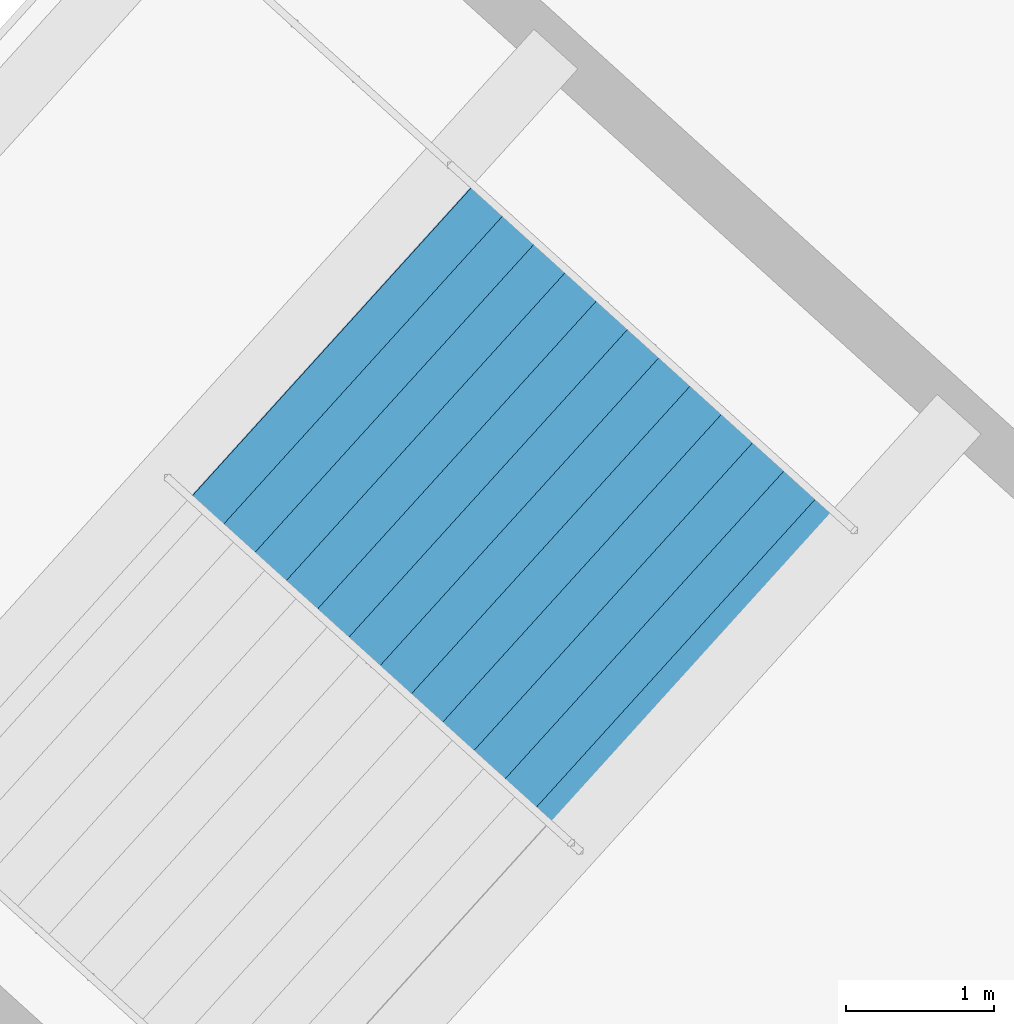
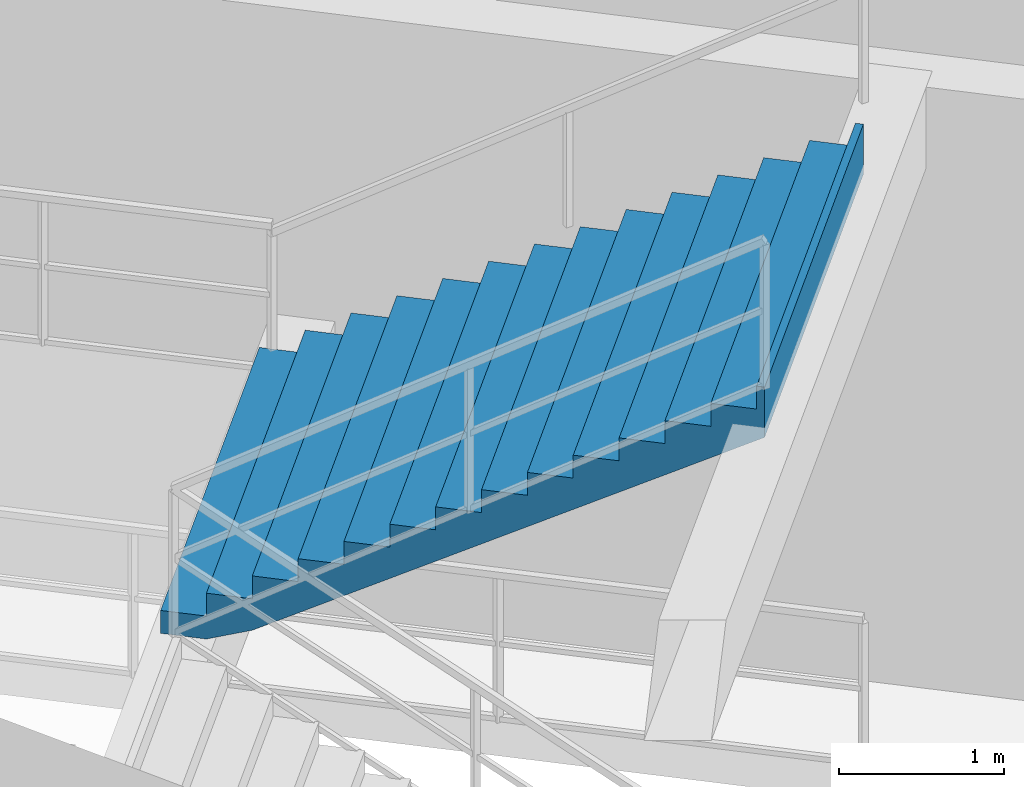
# One storey, part 161 of 171: 1 stair flight, 1 element without a shape of its own.
"""IFC4 building model written with IfcOpenShell, lengths in metres."""

from ifc_helpers import new_model, si_unit, direction, frame, origin, place, context, subcontext, project, spatial, polygons, material, type_object, element, aggregate, save


model = new_model("IFC4")

# Units and contexts
model_context = context("Model", 3, precision=1e-05, world=origin(), true_north=direction((0.0, 1.0)))
body_context = subcontext(model_context, "Body", "Model", "MODEL_VIEW")
ifc_project = project(units=[si_unit("LENGTHUNIT", "METRE"), si_unit("AREAUNIT", "SQUARE_METRE"), si_unit("VOLUMEUNIT", "CUBIC_METRE"), si_unit("PLANEANGLEUNIT", "RADIAN"), si_unit("MASSUNIT", "GRAM", prefix="KILO")], contexts=[model_context])

# Site, building, storey
site_placement = place(None, origin())
site = spatial("IfcSite", under=ifc_project, at=site_placement, CompositionType="ELEMENT")
building_placement = place(site_placement, origin())
building = spatial("IfcBuilding", under=site, at=building_placement, Name="Kazemori Nagisa Stadium", CompositionType="ELEMENT")
storey_placement = place(building_placement, frame((0.0, 0.0, 15.639892578125)))
storey = spatial("IfcBuildingStorey", under=building, at=storey_placement, Name="L03", CompositionType="ELEMENT", Elevation=15.639892578125)

# Stair, stair flight
ifc_material = material(Name="Concrete C36/45 (Fc36)", Category="concrete")
stair_type = type_object("IfcStairType", Name="Stair_CORE_28", PredefinedType="TWO_STRAIGHT_RUN_STAIR", material=ifc_material)
stair_placement = place(storey_placement, origin())
stair = element("IfcStair", 1, at=stair_placement, inside=storey, type_object=stair_type, Name="Exit stair ST01 L03", PredefinedType="TWO_STRAIGHT_RUN_STAIR")
stair_flight_type = type_object("IfcStairFlightType", Name="Flight_CORE_14", PredefinedType="STRAIGHT", material=ifc_material)
stair_flight_placement = place(storey_placement, frame((190.961669921875, 161.023681640625, 2.380126953125), z_axis=(0.0, 0.0, 1.0), x_axis=(0.741324991793, -0.671146225903, 0.0)))
stair_flight = element("IfcStairFlight", 2, at=stair_flight_placement, type_object=stair_flight_type, Name="Exit stair ST01 L03 flight 2", NumberOfRisers=14, NumberOfTreads=13, PredefinedType="STRAIGHT", RiserHeight=0.17, TreadLength=0.285, context=body_context, shape_type="Tessellation", body=[
    polygons([(0.0, -1.425048828125, 0.0), (0.0, -1.425048828125, 0.169921875), (0.284912109375, -1.425048828125, 0.169921875), (0.284912109375, -1.425048828125, 0.340087890625), (0.570068359375, -1.425048828125, 0.340087890625), (0.570068359375, -1.425048828125, 0.510009765625), (0.85498046875, -1.425048828125, 0.510009765625), (0.85498046875, -1.425048828125, 0.679931640625), (1.139892578125, -1.425048828125, 0.679931640625), (1.139892578125, -1.425048828125, 0.85009765625), (1.425048828125, -1.425048828125, 0.85009765625), (1.425048828125, -1.425048828125, 1.02001953125), (1.7099609375, -1.425048828125, 1.02001953125), (1.7099609375, -1.425048828125, 1.18994140625), (1.9951171875, -1.425048828125, 1.18994140625), (1.9951171875, -1.425048828125, 1.360107421875), (2.280029296875, -1.425048828125, 1.360107421875), (2.280029296875, -1.425048828125, 1.530029296875), (2.56494140625, -1.425048828125, 1.530029296875), (2.56494140625, -1.425048828125, 1.699951171875), (2.85009765625, -1.425048828125, 1.699951171875), (2.85009765625, -1.425048828125, 1.8701171875), (3.135009765625, -1.425048828125, 1.8701171875), (3.135009765625, -1.425048828125, 2.0400390625), (3.419921875, -1.425048828125, 2.0400390625), (3.419921875, -1.425048828125, 2.2099609375), (3.705078125, -1.425048828125, 2.2099609375), (3.705078125, -1.425048828125, 2.3798828125), (3.7548828125, -1.425048828125, 2.3798828125), (3.7548828125, -1.425048828125, 2.007080078125), (3.705078125, -1.425048828125, 1.977294921875), (3.419921875, -1.425048828125, 1.80712890625), (3.135009765625, -1.425048828125, 1.63720703125), (2.85009765625, -1.425048828125, 1.46728515625), (2.56494140625, -1.425048828125, 1.297119140625), (2.280029296875, -1.425048828125, 1.127197265625), (1.9951171875, -1.425048828125, 0.957275390625), (1.7099609375, -1.425048828125, 0.787109375), (1.425048828125, -1.425048828125, 0.6171875), (1.139892578125, -1.425048828125, 0.447265625), (0.85498046875, -1.425048828125, 0.277099609375), (0.570068359375, -1.425048828125, 0.107177734375), (0.284912109375, -1.425048828125, 0.0), (0.0, -0.08544921875, 0.0), (0.0, -0.08544921875, 0.169921875), (0.284912109375, -0.08544921875, 0.169921875), (0.284912109375, -0.08544921875, 0.340087890625), (0.570068359375, -0.08544921875, 0.340087890625), (0.570068359375, -0.08544921875, 0.510009765625), (0.85498046875, -0.08544921875, 0.510009765625), (0.85498046875, -0.08544921875, 0.679931640625), (1.139892578125, -0.08544921875, 0.679931640625), (1.139892578125, -0.08544921875, 0.85009765625), (1.425048828125, -0.08544921875, 0.85009765625), (1.425048828125, -0.08544921875, 1.02001953125), (1.7099609375, -0.08544921875, 1.02001953125), (1.7099609375, -0.08544921875, 1.18994140625), (1.9951171875, -0.08544921875, 1.18994140625), (1.9951171875, -0.08544921875, 1.360107421875), (2.280029296875, -0.08544921875, 1.360107421875), (2.280029296875, -0.08544921875, 1.530029296875), (2.56494140625, -0.08544921875, 1.530029296875), (2.56494140625, -0.08544921875, 1.699951171875), (2.85009765625, -0.08544921875, 1.699951171875), (2.85009765625, -0.08544921875, 1.8701171875), (3.135009765625, -0.08544921875, 1.8701171875), (3.135009765625, -0.08544921875, 2.0400390625), (3.419921875, -0.08544921875, 2.0400390625), (3.419921875, -0.08544921875, 2.2099609375), (3.705078125, -0.08544921875, 2.2099609375), (3.705078125, -0.08544921875, 2.3798828125), (3.7548828125, -0.08544921875, 2.3798828125), (3.7548828125, -0.08544921875, 2.007080078125), (3.705078125, -0.08544921875, 1.977294921875), (3.419921875, -0.08544921875, 1.80712890625), (3.135009765625, -0.08544921875, 1.63720703125), (2.85009765625, -0.08544921875, 1.46728515625), (2.56494140625, -0.08544921875, 1.297119140625), (2.280029296875, -0.08544921875, 1.127197265625), (1.9951171875, -0.08544921875, 0.957275390625), (1.7099609375, -0.08544921875, 0.787109375), (1.425048828125, -0.08544921875, 0.6171875), (1.139892578125, -0.08544921875, 0.447265625), (0.85498046875, -0.08544921875, 0.277099609375), (0.570068359375, -0.08544921875, 0.107177734375), (0.284912109375, -0.08544921875, 0.0), (0.0, 0.0, 0.0), (0.0, 0.0, 0.169921875), (0.284912109375, 0.0, 0.169921875), (0.284912109375, 0.0, 0.340087890625), (0.570068359375, 0.0, 0.340087890625), (0.570068359375, 0.0, 0.510009765625), (0.85498046875, 0.0, 0.510009765625), (0.85498046875, 0.0, 0.679931640625), (1.139892578125, 0.0, 0.679931640625), (1.139892578125, 0.0, 0.85009765625), (1.425048828125, 0.0, 0.85009765625), (1.425048828125, 0.0, 1.02001953125), (1.7099609375, 0.0, 1.02001953125), (1.7099609375, 0.0, 1.18994140625), (1.9951171875, 0.0, 1.18994140625), (1.9951171875, 0.0, 1.360107421875), (2.280029296875, 0.0, 1.360107421875), (2.280029296875, 0.0, 1.530029296875), (2.56494140625, 0.0, 1.530029296875), (2.56494140625, 0.0, 1.699951171875), (2.85009765625, 0.0, 1.699951171875), (2.85009765625, 0.0, 1.8701171875), (3.135009765625, 0.0, 1.8701171875), (3.135009765625, 0.0, 2.0400390625), (3.419921875, 0.0, 2.0400390625), (3.419921875, 0.0, 2.2099609375), (3.705078125, 0.0, 2.2099609375), (3.705078125, 0.0, 2.3798828125), (3.7548828125, 0.0, 2.3798828125), (3.7548828125, 0.0, 2.007080078125), (3.705078125, 0.0, 1.977294921875), (3.419921875, 0.0, 1.80712890625), (3.135009765625, 0.0, 1.63720703125), (2.85009765625, 0.0, 1.46728515625), (2.56494140625, 0.0, 1.297119140625), (2.280029296875, 0.0, 1.127197265625), (1.9951171875, 0.0, 0.957275390625), (1.7099609375, 0.0, 0.787109375), (1.425048828125, 0.0, 0.6171875), (1.139892578125, 0.0, 0.447265625), (0.85498046875, 0.0, 0.277099609375), (0.570068359375, 0.0, 0.107177734375), (0.284912109375, 0.0, 0.0), (0.0, 0.08544921875, 0.0), (0.0, 0.08544921875, 0.169921875), (0.284912109375, 0.08544921875, 0.169921875), (0.284912109375, 0.08544921875, 0.340087890625), (0.570068359375, 0.08544921875, 0.340087890625), (0.570068359375, 0.08544921875, 0.510009765625), (0.85498046875, 0.08544921875, 0.510009765625), (0.85498046875, 0.08544921875, 0.679931640625), (1.139892578125, 0.08544921875, 0.679931640625), (1.139892578125, 0.08544921875, 0.85009765625), (1.425048828125, 0.08544921875, 0.85009765625), (1.425048828125, 0.08544921875, 1.02001953125), (1.7099609375, 0.08544921875, 1.02001953125), (1.7099609375, 0.08544921875, 1.18994140625), (1.9951171875, 0.08544921875, 1.18994140625), (1.9951171875, 0.08544921875, 1.360107421875), (2.280029296875, 0.08544921875, 1.360107421875), (2.280029296875, 0.08544921875, 1.530029296875), (2.56494140625, 0.08544921875, 1.530029296875), (2.56494140625, 0.08544921875, 1.699951171875), (2.85009765625, 0.08544921875, 1.699951171875), (2.85009765625, 0.08544921875, 1.8701171875), (3.135009765625, 0.08544921875, 1.8701171875), (3.135009765625, 0.08544921875, 2.0400390625), (3.419921875, 0.08544921875, 2.0400390625), (3.419921875, 0.08544921875, 2.2099609375), (3.705078125, 0.08544921875, 2.2099609375), (3.705078125, 0.08544921875, 2.3798828125), (3.7548828125, 0.08544921875, 2.3798828125), (3.7548828125, 0.08544921875, 2.007080078125), (3.705078125, 0.08544921875, 1.977294921875), (3.419921875, 0.08544921875, 1.80712890625), (3.135009765625, 0.08544921875, 1.63720703125), (2.85009765625, 0.08544921875, 1.46728515625), (2.56494140625, 0.08544921875, 1.297119140625), (2.280029296875, 0.08544921875, 1.127197265625), (1.9951171875, 0.08544921875, 0.957275390625), (1.7099609375, 0.08544921875, 0.787109375), (1.425048828125, 0.08544921875, 0.6171875), (1.139892578125, 0.08544921875, 0.447265625), (0.85498046875, 0.08544921875, 0.277099609375), (0.570068359375, 0.08544921875, 0.107177734375), (0.284912109375, 0.08544921875, 0.0), (0.0, 1.425048828125, 0.0), (0.0, 1.425048828125, 0.169921875), (0.284912109375, 1.425048828125, 0.169921875), (0.284912109375, 1.425048828125, 0.340087890625), (0.570068359375, 1.425048828125, 0.340087890625), (0.570068359375, 1.425048828125, 0.510009765625), (0.85498046875, 1.425048828125, 0.510009765625), (0.85498046875, 1.425048828125, 0.679931640625), (1.139892578125, 1.425048828125, 0.679931640625), (1.139892578125, 1.425048828125, 0.85009765625), (1.425048828125, 1.425048828125, 0.85009765625), (1.425048828125, 1.425048828125, 1.02001953125), (1.7099609375, 1.425048828125, 1.02001953125), (1.7099609375, 1.425048828125, 1.18994140625), (1.9951171875, 1.425048828125, 1.18994140625), (1.9951171875, 1.425048828125, 1.360107421875), (2.280029296875, 1.425048828125, 1.360107421875), (2.280029296875, 1.425048828125, 1.530029296875), (2.56494140625, 1.425048828125, 1.530029296875), (2.56494140625, 1.425048828125, 1.699951171875), (2.85009765625, 1.425048828125, 1.699951171875), (2.85009765625, 1.425048828125, 1.8701171875), (3.135009765625, 1.425048828125, 1.8701171875), (3.135009765625, 1.425048828125, 2.0400390625), (3.419921875, 1.425048828125, 2.0400390625), (3.419921875, 1.425048828125, 2.2099609375), (3.705078125, 1.425048828125, 2.2099609375), (3.705078125, 1.425048828125, 2.3798828125), (3.7548828125, 1.425048828125, 2.3798828125), (3.7548828125, 1.425048828125, 2.007080078125), (3.705078125, 1.425048828125, 1.977294921875), (3.419921875, 1.425048828125, 1.80712890625), (3.135009765625, 1.425048828125, 1.63720703125), (2.85009765625, 1.425048828125, 1.46728515625), (2.56494140625, 1.425048828125, 1.297119140625), (2.280029296875, 1.425048828125, 1.127197265625), (1.9951171875, 1.425048828125, 0.957275390625), (1.7099609375, 1.425048828125, 0.787109375), (1.425048828125, 1.425048828125, 0.6171875), (1.139892578125, 1.425048828125, 0.447265625), (0.85498046875, 1.425048828125, 0.277099609375), (0.570068359375, 1.425048828125, 0.107177734375), (0.284912109375, 1.425048828125, 0.0)], [[[1, 2, 45]], [[1, 45, 44]], [[2, 3, 46]], [[2, 46, 45]], [[3, 4, 47]], [[3, 47, 46]], [[4, 5, 48]], [[4, 48, 47]], [[5, 6, 49]], [[5, 49, 48]], [[6, 7, 50]], [[6, 50, 49]], [[7, 8, 51]], [[7, 51, 50]], [[8, 9, 52]], [[8, 52, 51]], [[9, 10, 53]], [[9, 53, 52]], [[10, 11, 54]], [[10, 54, 53]], [[11, 12, 55]], [[11, 55, 54]], [[12, 13, 56]], [[12, 56, 55]], [[13, 14, 57]], [[13, 57, 56]], [[14, 15, 58]], [[14, 58, 57]], [[15, 16, 59]], [[15, 59, 58]], [[16, 17, 60]], [[16, 60, 59]], [[17, 18, 61]], [[17, 61, 60]], [[18, 19, 62]], [[18, 62, 61]], [[19, 20, 63]], [[19, 63, 62]], [[20, 21, 64]], [[20, 64, 63]], [[21, 22, 65]], [[21, 65, 64]], [[22, 23, 66]], [[22, 66, 65]], [[23, 24, 67]], [[23, 67, 66]], [[24, 25, 68]], [[24, 68, 67]], [[25, 26, 69]], [[25, 69, 68]], [[26, 27, 70]], [[26, 70, 69]], [[27, 28, 71]], [[27, 71, 70]], [[28, 29, 72]], [[28, 72, 71]], [[29, 30, 73]], [[29, 73, 72]], [[30, 31, 74]], [[30, 74, 73]], [[31, 32, 75]], [[31, 75, 74]], [[32, 33, 76]], [[32, 76, 75]], [[33, 34, 77]], [[33, 77, 76]], [[34, 35, 78]], [[34, 78, 77]], [[35, 36, 79]], [[35, 79, 78]], [[36, 37, 80]], [[36, 80, 79]], [[37, 38, 81]], [[37, 81, 80]], [[38, 39, 82]], [[38, 82, 81]], [[39, 40, 83]], [[39, 83, 82]], [[40, 41, 84]], [[40, 84, 83]], [[41, 42, 85]], [[41, 85, 84]], [[42, 43, 86]], [[42, 86, 85]], [[43, 1, 44]], [[43, 44, 86]], [[44, 45, 88]], [[44, 88, 87]], [[45, 46, 89]], [[45, 89, 88]], [[46, 47, 90]], [[46, 90, 89]], [[47, 48, 91]], [[47, 91, 90]], [[48, 49, 92]], [[48, 92, 91]], [[49, 50, 93]], [[49, 93, 92]], [[50, 51, 94]], [[50, 94, 93]], [[51, 52, 95]], [[51, 95, 94]], [[52, 53, 96]], [[52, 96, 95]], [[53, 54, 97]], [[53, 97, 96]], [[54, 55, 98]], [[54, 98, 97]], [[55, 56, 99]], [[55, 99, 98]], [[56, 57, 100]], [[56, 100, 99]], [[57, 58, 101]], [[57, 101, 100]], [[58, 59, 102]], [[58, 102, 101]], [[59, 60, 103]], [[59, 103, 102]], [[60, 61, 104]], [[60, 104, 103]], [[61, 62, 105]], [[61, 105, 104]], [[62, 63, 106]], [[62, 106, 105]], [[63, 64, 107]], [[63, 107, 106]], [[64, 65, 108]], [[64, 108, 107]], [[65, 66, 109]], [[65, 109, 108]], [[66, 67, 110]], [[66, 110, 109]], [[67, 68, 111]], [[67, 111, 110]], [[68, 69, 112]], [[68, 112, 111]], [[69, 70, 113]], [[69, 113, 112]], [[70, 71, 114]], [[70, 114, 113]], [[71, 72, 115]], [[71, 115, 114]], [[72, 73, 116]], [[72, 116, 115]], [[73, 74, 117]], [[73, 117, 116]], [[74, 75, 118]], [[74, 118, 117]], [[75, 76, 119]], [[75, 119, 118]], [[76, 77, 120]], [[76, 120, 119]], [[77, 78, 121]], [[77, 121, 120]], [[78, 79, 122]], [[78, 122, 121]], [[79, 80, 123]], [[79, 123, 122]], [[80, 81, 124]], [[80, 124, 123]], [[81, 82, 125]], [[81, 125, 124]], [[82, 83, 126]], [[82, 126, 125]], [[83, 84, 127]], [[83, 127, 126]], [[84, 85, 128]], [[84, 128, 127]], [[85, 86, 129]], [[85, 129, 128]], [[86, 44, 87]], [[86, 87, 129]], [[87, 88, 131]], [[87, 131, 130]], [[88, 89, 132]], [[88, 132, 131]], [[89, 90, 133]], [[89, 133, 132]], [[90, 91, 134]], [[90, 134, 133]], [[91, 92, 135]], [[91, 135, 134]], [[92, 93, 136]], [[92, 136, 135]], [[93, 94, 137]], [[93, 137, 136]], [[94, 95, 138]], [[94, 138, 137]], [[95, 96, 139]], [[95, 139, 138]], [[96, 97, 140]], [[96, 140, 139]], [[97, 98, 141]], [[97, 141, 140]], [[98, 99, 142]], [[98, 142, 141]], [[99, 100, 143]], [[99, 143, 142]], [[100, 101, 144]], [[100, 144, 143]], [[101, 102, 145]], [[101, 145, 144]], [[102, 103, 146]], [[102, 146, 145]], [[103, 104, 147]], [[103, 147, 146]], [[104, 105, 148]], [[104, 148, 147]], [[105, 106, 149]], [[105, 149, 148]], [[106, 107, 150]], [[106, 150, 149]], [[107, 108, 151]], [[107, 151, 150]], [[108, 109, 152]], [[108, 152, 151]], [[109, 110, 153]], [[109, 153, 152]], [[110, 111, 154]], [[110, 154, 153]], [[111, 112, 155]], [[111, 155, 154]], [[112, 113, 156]], [[112, 156, 155]], [[113, 114, 157]], [[113, 157, 156]], [[114, 115, 158]], [[114, 158, 157]], [[115, 116, 159]], [[115, 159, 158]], [[116, 117, 160]], [[116, 160, 159]], [[117, 118, 161]], [[117, 161, 160]], [[118, 119, 162]], [[118, 162, 161]], [[119, 120, 163]], [[119, 163, 162]], [[120, 121, 164]], [[120, 164, 163]], [[121, 122, 165]], [[121, 165, 164]], [[122, 123, 166]], [[122, 166, 165]], [[123, 124, 167]], [[123, 167, 166]], [[124, 125, 168]], [[124, 168, 167]], [[125, 126, 169]], [[125, 169, 168]], [[126, 127, 170]], [[126, 170, 169]], [[127, 128, 171]], [[127, 171, 170]], [[128, 129, 172]], [[128, 172, 171]], [[129, 87, 130]], [[129, 130, 172]], [[130, 131, 174]], [[130, 174, 173]], [[131, 132, 175]], [[131, 175, 174]], [[132, 133, 176]], [[132, 176, 175]], [[133, 134, 177]], [[133, 177, 176]], [[134, 135, 178]], [[134, 178, 177]], [[135, 136, 179]], [[135, 179, 178]], [[136, 137, 180]], [[136, 180, 179]], [[137, 138, 181]], [[137, 181, 180]], [[138, 139, 182]], [[138, 182, 181]], [[139, 140, 183]], [[139, 183, 182]], [[140, 141, 184]], [[140, 184, 183]], [[141, 142, 185]], [[141, 185, 184]], [[142, 143, 186]], [[142, 186, 185]], [[143, 144, 187]], [[143, 187, 186]], [[144, 145, 188]], [[144, 188, 187]], [[145, 146, 189]], [[145, 189, 188]], [[146, 147, 190]], [[146, 190, 189]], [[147, 148, 191]], [[147, 191, 190]], [[148, 149, 192]], [[148, 192, 191]], [[149, 150, 193]], [[149, 193, 192]], [[150, 151, 194]], [[150, 194, 193]], [[151, 152, 195]], [[151, 195, 194]], [[152, 153, 196]], [[152, 196, 195]], [[153, 154, 197]], [[153, 197, 196]], [[154, 155, 198]], [[154, 198, 197]], [[155, 156, 199]], [[155, 199, 198]], [[156, 157, 200]], [[156, 200, 199]], [[157, 158, 201]], [[157, 201, 200]], [[158, 159, 202]], [[158, 202, 201]], [[159, 160, 203]], [[159, 203, 202]], [[160, 161, 204]], [[160, 204, 203]], [[161, 162, 205]], [[161, 205, 204]], [[162, 163, 206]], [[162, 206, 205]], [[163, 164, 207]], [[163, 207, 206]], [[164, 165, 208]], [[164, 208, 207]], [[165, 166, 209]], [[165, 209, 208]], [[166, 167, 210]], [[166, 210, 209]], [[167, 168, 211]], [[167, 211, 210]], [[168, 169, 212]], [[168, 212, 211]], [[169, 170, 213]], [[169, 213, 212]], [[170, 171, 214]], [[170, 214, 213]], [[171, 172, 215]], [[171, 215, 214]], [[172, 130, 173]], [[172, 173, 215]], [[3, 2, 1]], [[173, 174, 175]], [[43, 3, 1]], [[173, 175, 215]], [[42, 3, 43]], [[215, 175, 214]], [[5, 3, 42]], [[214, 175, 177]], [[5, 4, 3]], [[175, 176, 177]], [[41, 5, 42]], [[214, 177, 213]], [[7, 5, 41]], [[213, 177, 179]], [[7, 6, 5]], [[177, 178, 179]], [[40, 7, 41]], [[213, 179, 212]], [[9, 7, 40]], [[212, 179, 181]], [[9, 8, 7]], [[179, 180, 181]], [[39, 9, 40]], [[212, 181, 211]], [[11, 9, 39]], [[211, 181, 183]], [[11, 10, 9]], [[181, 182, 183]], [[38, 11, 39]], [[211, 183, 210]], [[13, 11, 38]], [[210, 183, 185]], [[13, 12, 11]], [[183, 184, 185]], [[37, 13, 38]], [[210, 185, 209]], [[15, 13, 37]], [[209, 185, 187]], [[15, 14, 13]], [[185, 186, 187]], [[36, 15, 37]], [[209, 187, 208]], [[17, 15, 36]], [[208, 187, 189]], [[17, 16, 15]], [[187, 188, 189]], [[35, 17, 36]], [[208, 189, 207]], [[19, 17, 35]], [[207, 189, 191]], [[19, 18, 17]], [[189, 190, 191]], [[34, 19, 35]], [[207, 191, 206]], [[21, 19, 34]], [[206, 191, 193]], [[21, 20, 19]], [[191, 192, 193]], [[33, 21, 34]], [[206, 193, 205]], [[23, 21, 33]], [[205, 193, 195]], [[23, 22, 21]], [[193, 194, 195]], [[32, 23, 33]], [[205, 195, 204]], [[25, 23, 32]], [[204, 195, 197]], [[25, 24, 23]], [[195, 196, 197]], [[31, 25, 32]], [[204, 197, 203]], [[27, 25, 31]], [[203, 197, 199]], [[27, 26, 25]], [[197, 198, 199]], [[30, 27, 31]], [[203, 199, 202]], [[29, 27, 30]], [[202, 199, 201]], [[29, 28, 27]], [[199, 200, 201]]], closed=True),
])
aggregate(stair, [stair_flight])

save(model, "model.ifc")
